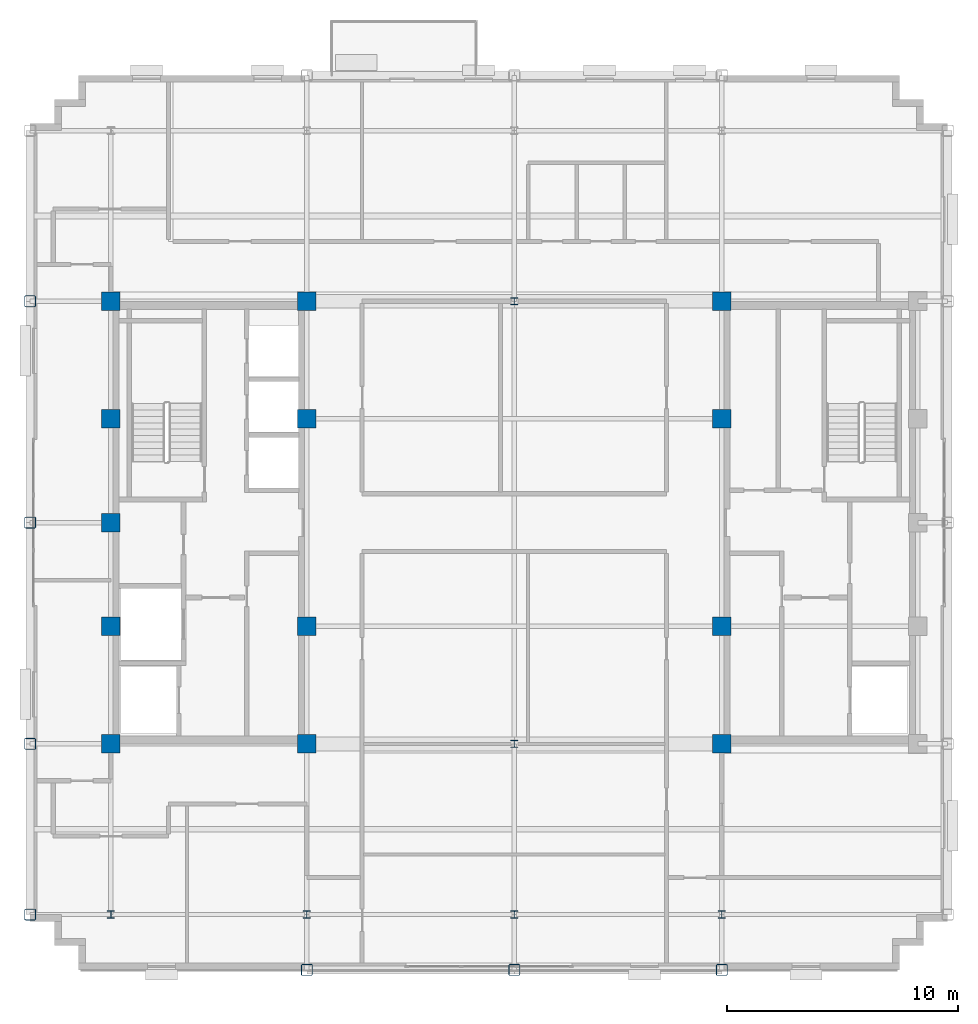
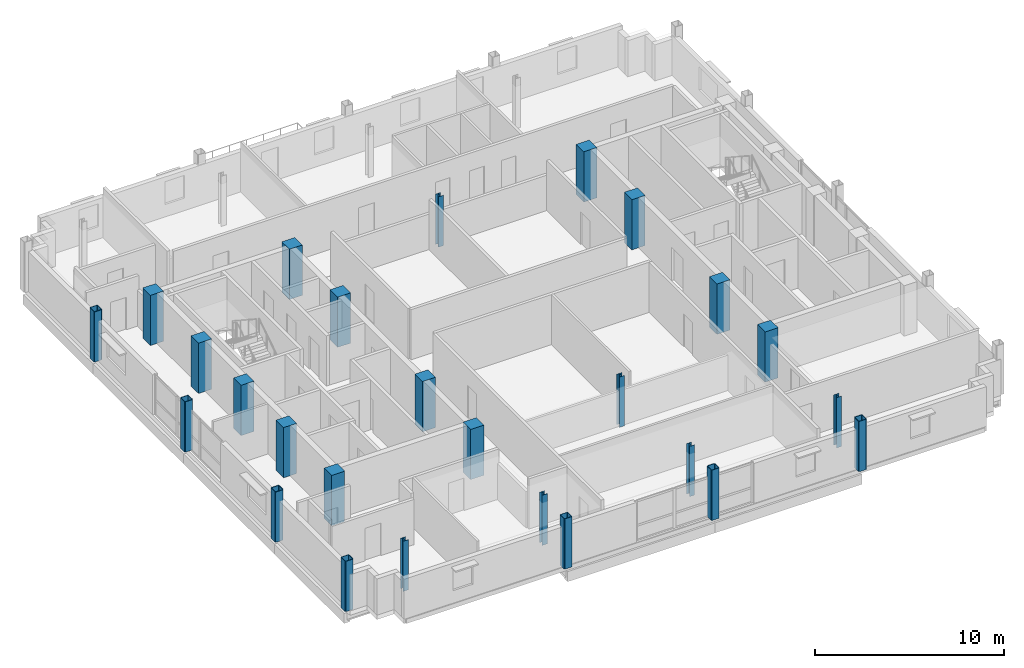
# One storey, part 1 of 16: 26 columns.
"""IFC4 building model written with IfcOpenShell, lengths in metres."""

from ifc_helpers import new_model, si_unit, direction, frame, origin, origin_2d, place, context, subcontext, project, spatial, rectangle, hollow_rectangle, i_section, extrude, material, material_profile, profile_set, type_object, element, save


model = new_model("IFC4")

# Units and contexts
model_context = context("Model", 3, precision=1e-05, world=origin(), true_north=direction((0.0, 1.0)))
body_context = subcontext(model_context, "Body", "Model", "MODEL_VIEW")
ifc_project = project(units=[si_unit("LENGTHUNIT", "METRE"), si_unit("AREAUNIT", "SQUARE_METRE"), si_unit("VOLUMEUNIT", "CUBIC_METRE"), si_unit("PLANEANGLEUNIT", "RADIAN"), si_unit("MASSUNIT", "GRAM", prefix="KILO")], contexts=[model_context])

# Site, building, storey
site_placement = place(None, origin())
site = spatial("IfcSite", under=ifc_project, at=site_placement, CompositionType="ELEMENT")
building_placement = place(site_placement, origin())
building = spatial("IfcBuilding", under=site, at=building_placement, Name="Nuvemarco Arch Tower", CompositionType="ELEMENT")
storey_placement = place(building_placement, frame((0.0, 0.0, 249.300048828125)))
storey = spatial("IfcBuildingStorey", under=building, at=storey_placement, Name="L66", CompositionType="ELEMENT", Elevation=249.300048828125)

# Columns
ifc_material_1 = material(Name="Concrete C50/60", Category="concrete")
ifc_material_profile_1 = material_profile(ifc_material_1, rectangle(XDim=0.800048828125, YDim=0.800048828125, at=origin_2d()), Name="RC-COL-800x800")
ifc_profile_set_1 = profile_set([ifc_material_profile_1], Name="Concrete C50/60")
column_type_1 = type_object("IfcColumnType", Name="COL-CORE-800", PredefinedType="COLUMN", material=ifc_profile_set_1)
for number, where, z_axis, x_axis, name in (
    (1, (-17.5, -9.60009765625, 0.0), (0.0, 0.0, 1.0), (1.0, 0.0, 0.0), "L66 column CC_-17.5_-9.6"),
    (2, (-17.5, -4.5, 0.0), (0.0, 0.0, 1.0), (1.0, 0.0, 0.0), "L66 column CC_-17.5_-4.5"),
    (3, (-17.5, 4.5, 0.0), (0.0, 0.0, 1.0), (1.0, 0.0, 0.0), "L66 column CC_-17.5_+4.5"),
    (4, (-17.5, 9.60009765625, 0.0), (0.0, 0.0, 1.0), (1.0, 0.0, 0.0), "L66 column CC_-17.5_+9.6"),
    (5, (-9.0, -9.60009765625, 0.0), (0.0, 0.0, 1.0), (1.0, 0.0, 0.0), "L66 column CC_-9.0_-9.6"),
    (6, (-9.0, -4.5, 0.0), (0.0, 0.0, 1.0), (1.0, 0.0, 0.0), "L66 column CC_-9.0_-4.5"),
    (7, (-9.0, 4.5, 0.0), (0.0, 0.0, 1.0), (1.0, 0.0, 0.0), "L66 column CC_-9.0_+4.5"),
    (8, (-9.0, 9.60009765625, 0.0), (0.0, 0.0, 1.0), (1.0, 0.0, 0.0), "L66 column CC_-9.0_+9.6"),
    (9, (9.0, -9.60009765625, 0.0), (0.0, 0.0, 1.0), (1.0, 0.0, 0.0), "L66 column CC_+9.0_-9.6"),
    (10, (9.0, -4.5, 0.0), (0.0, 0.0, 1.0), (1.0, 0.0, 0.0), "L66 column CC_+9.0_-4.5"),
    (11, (9.0, 4.5, 0.0), (0.0, 0.0, 1.0), (1.0, 0.0, 0.0), "L66 column CC_+9.0_+4.5"),
    (12, (9.0, 9.60009765625, 0.0), (0.0, 0.0, 1.0), (1.0, 0.0, 0.0), "L66 column CC_+9.0_+9.6"),
    (13, (-17.5, 0.0, 0.0), (0.0, 0.0, 1.0), (1.0, 0.0, 0.0), "L66 column CC_-17.5_+0.0"),
):
    element("IfcColumn", number, at=place(storey_placement, frame(where, z_axis=z_axis, x_axis=x_axis)), inside=storey, type_object=column_type_1, Name=name, PredefinedType="COLUMN", context=body_context, shape_type="SweptSolid", body=[
        extrude(rectangle(XDim=0.800048828125, YDim=0.800048828125, at=origin_2d()), origin(), (0.0, 0.0, 1.0), 3.25),
    ])
ifc_material_2 = material(Name="Steel S355", Category="steel")
ifc_material_profile_2 = material_profile(ifc_material_2, hollow_rectangle(XDim=0.5, YDim=0.5, WallThickness=0.031982421875, InnerFilletRadius=0.031982421875, OuterFilletRadius=0.06396484375, at=origin_2d()), Name="SHS500x500x32")
ifc_profile_set_2 = profile_set([ifc_material_profile_2], Name="Steel S355")
column_type_2 = type_object("IfcColumnType", Name="COL-EXO-500", PredefinedType="COLUMN", material=ifc_profile_set_2)
for number, where, z_axis, x_axis, name in (
    (14, (-21.0, -17.0, 0.0), (0.0, 0.0, 1.0), (1.0, 0.0, 0.0), "L66 column CX_-21.0_-17.0"),
    (15, (-21.0, -9.60009765625, 0.0), (0.0, 0.0, 1.0), (1.0, 0.0, 0.0), "L66 column CX_-21.0_-9.6"),
    (16, (-21.0, 0.0, 0.0), (0.0, 0.0, 1.0), (1.0, 0.0, 0.0), "L66 column CX_-21.0_+0.0"),
    (17, (-21.0, 9.60009765625, 0.0), (0.0, 0.0, 1.0), (1.0, 0.0, 0.0), "L66 column CX_-21.0_+9.6"),
    (18, (-9.0, -19.39990234375, 0.0), (0.0, 0.0, 1.0), (1.0, 0.0, 0.0), "L66 column CY_-9.0_-19.4"),
    (19, (0.0, -19.39990234375, 0.0), (0.0, 0.0, 1.0), (1.0, 0.0, 0.0), "L66 column CY_+0.0_-19.4"),
    (20, (9.0, -19.39990234375, 0.0), (0.0, 0.0, 1.0), (1.0, 0.0, 0.0), "L66 column CY_+9.0_-19.4"),
):
    element("IfcColumn", number, at=place(storey_placement, frame(where, z_axis=z_axis, x_axis=x_axis)), inside=storey, type_object=column_type_2, Name=name, PredefinedType="COLUMN", context=body_context, shape_type="SweptSolid", body=[
        extrude(hollow_rectangle(XDim=0.5, YDim=0.5, WallThickness=0.031982421875, InnerFilletRadius=0.031982421875, OuterFilletRadius=0.06396484375, at=origin_2d()), origin(), (0.0, 0.0, 1.0), 3.25),
    ])
ifc_material_profile_3 = material_profile(ifc_material_2, i_section(OverallWidth=0.31005859375, OverallDepth=0.31005859375, WebThickness=0.015380859375, FlangeThickness=0.015380859375, FilletRadius=0.014892578125, at=origin_2d()), Name="HP310x110")
ifc_profile_set_3 = profile_set([ifc_material_profile_3], Name="Steel S355")
column_type_3 = type_object("IfcColumnType", Name="COL-STL-HP310", PredefinedType="COLUMN", material=ifc_profile_set_3)
for number, where, z_axis, x_axis, name in (
    (21, (0.0, -17.0, 0.0), (0.0, 0.0, 1.0), (1.0, 0.0, 0.0), "L66 column CI_+0.0_-17.0"),
    (22, (0.0, -9.60009765625, 0.0), (0.0, 0.0, 1.0), (1.0, 0.0, 0.0), "L66 column CI_+0.0_-9.6"),
    (23, (0.0, 9.60009765625, 0.0), (0.0, 0.0, 1.0), (1.0, 0.0, 0.0), "L66 column CI_+0.0_+9.6"),
    (24, (-17.5, -17.0, 0.0), (0.0, 0.0, 1.0), (1.0, 0.0, 0.0), "L66 column CI_-17.5_-17.0"),
    (25, (-9.0, -17.0, 0.0), (0.0, 0.0, 1.0), (1.0, 0.0, 0.0), "L66 column CI_-9.0_-17.0"),
    (26, (9.0, -17.0, 0.0), (0.0, 0.0, 1.0), (1.0, 0.0, 0.0), "L66 column CI_+9.0_-17.0"),
):
    element("IfcColumn", number, at=place(storey_placement, frame(where, z_axis=z_axis, x_axis=x_axis)), inside=storey, type_object=column_type_3, Name=name, PredefinedType="COLUMN", context=body_context, shape_type="SweptSolid", body=[
        extrude(i_section(OverallWidth=0.31005859375, OverallDepth=0.31005859375, WebThickness=0.015380859375, FlangeThickness=0.015380859375, FilletRadius=0.014892578125, at=origin_2d()), origin(), (0.0, 0.0, 1.0), 3.25),
    ])

save(model, "model.ifc")
